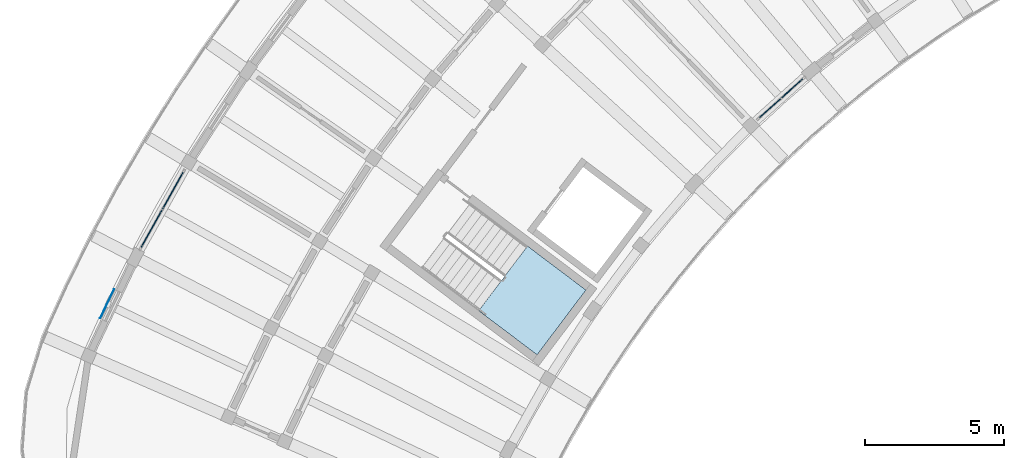
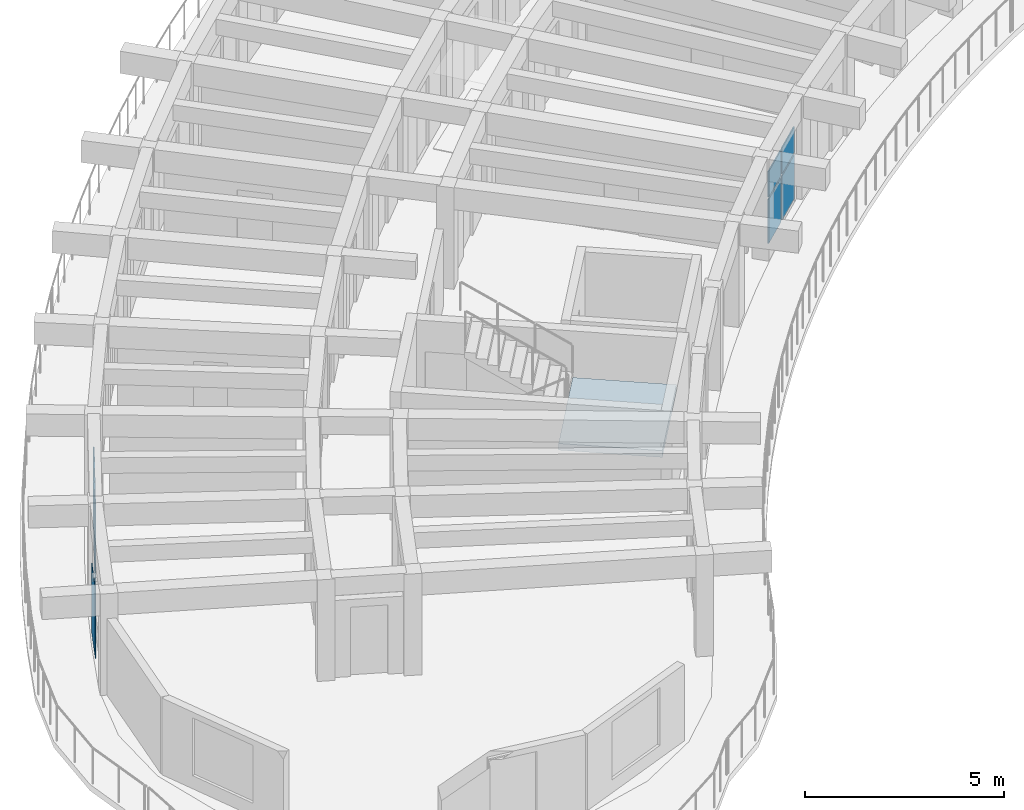
# One storey, part 15 of 36: 9 plates, 1 slab, 3 elements without a shape of their own.
"""IFC4 building model written with IfcOpenShell, lengths in metres."""

from ifc_helpers import new_model, si_unit, direction, frame, origin, origin_2d, place, context, subcontext, project, spatial, polyline, rectangle, outline, extrude, material, layer, layer_set, type_object, element, aggregate, save


model = new_model("IFC4")

# Units and contexts
model_context = context("Model", 3, precision=1e-05, world=origin(), true_north=direction((0.0, 1.0)))
body_context = subcontext(model_context, "Body", "Model", "MODEL_VIEW")
ifc_project = project(units=[si_unit("LENGTHUNIT", "METRE"), si_unit("AREAUNIT", "SQUARE_METRE"), si_unit("VOLUMEUNIT", "CUBIC_METRE"), si_unit("PLANEANGLEUNIT", "RADIAN"), si_unit("MASSUNIT", "GRAM", prefix="KILO")], contexts=[model_context])

# Site, building, storey
site_placement = place(None, origin())
site = spatial("IfcSite", under=ifc_project, at=site_placement, CompositionType="ELEMENT")
building_placement = place(site_placement, origin())
building = spatial("IfcBuilding", under=site, at=building_placement, Name="Tanwirah Colonnade Gardens", CompositionType="ELEMENT")
storey_placement = place(building_placement, frame((0.0, 0.0, 39.080078125)))
storey = spatial("IfcBuildingStorey", under=building, at=storey_placement, Name="L11", CompositionType="ELEMENT", Elevation=39.080078125)

# Curtain wall, plates
ifc_material_1 = material(Name="Bronze-anodised aluminium and solar-control low-E glass", Category="aluminium")
curtain_wall_type_1 = type_object("IfcCurtainWallType", Name="CW-GDN", PredefinedType="NOTDEFINED", material=ifc_material_1)
curtain_wall_1_placement = place(storey_placement, origin())
curtain_wall_1 = element("IfcCurtainWall", 1, at=curtain_wall_1_placement, inside=storey, type_object=curtain_wall_type_1, Name="Curtain Wall CW-A-L11-IN-09", PredefinedType="NOTDEFINED")
ifc_material_2 = material(Name="Acoustic solar-control low-E double glazing", Category="glass")
ifc_layer_1 = layer(ifc_material_2, 0.031982421875)
ifc_layer_set_1 = layer_set([ifc_layer_1], Name="Acoustic solar-control low-E double glazing")
plate_type_1 = type_object("IfcPlateType", Name="CWP-GLZ32", PredefinedType="CURTAIN_PANEL", material=ifc_layer_set_1)
plate_1_placement = place(storey_placement, frame((35.735595703125, 93.629638671875, 0.070068359375), z_axis=(0.0, 0.0, 1.0), x_axis=(-0.744440162253, -0.667689182798, 0.0)))
plate_1 = element("IfcPlate", 2, at=plate_1_placement, type_object=plate_type_1, Name="CW-GDN panel 1.1", PredefinedType="CURTAIN_PANEL", context=body_context, shape_type="SweptSolid", body=[
    extrude(rectangle(XDim=1.000244140625, YDim=0.031982421875, at=origin_2d()), origin(), (0.0, 0.0, 1.0), 1.35498046875),
])
plate_2_placement = place(storey_placement, frame((35.735595703125, 93.629638671875, 1.4951171875), z_axis=(0.0, 0.0, 1.0), x_axis=(-0.744440162253, -0.667689182798, 0.0)))
plate_2 = element("IfcPlate", 3, at=plate_2_placement, type_object=plate_type_1, Name="CW-GDN panel 1.2", PredefinedType="CURTAIN_PANEL", context=body_context, shape_type="SweptSolid", body=[
    extrude(rectangle(XDim=1.000244140625, YDim=0.031982421875, at=origin_2d()), origin(), (0.0, 0.0, 1.0), 0.789794921875),
])
plate_3_placement = place(storey_placement, frame((34.93896484375, 92.915283203125, 0.070068359375), z_axis=(0.0, 0.0, 1.0), x_axis=(-0.744440162253, -0.667689182798, 0.0)))
plate_3 = element("IfcPlate", 4, at=plate_3_placement, type_object=plate_type_1, Name="CW-GDN panel 2.1", PredefinedType="CURTAIN_PANEL", context=body_context, shape_type="SweptSolid", body=[
    extrude(rectangle(XDim=1.000244140625, YDim=0.031982421875, at=origin_2d()), origin(), (0.0, 0.0, 1.0), 1.35498046875),
])
plate_4_placement = place(storey_placement, frame((34.93896484375, 92.915283203125, 1.4951171875), z_axis=(0.0, 0.0, 1.0), x_axis=(-0.744440162253, -0.667689182798, 0.0)))
plate_4 = element("IfcPlate", 5, at=plate_4_placement, type_object=plate_type_1, Name="CW-GDN panel 2.2", PredefinedType="CURTAIN_PANEL", context=body_context, shape_type="SweptSolid", body=[
    extrude(rectangle(XDim=1.000244140625, YDim=0.031982421875, at=origin_2d()), origin(), (0.0, 0.0, 1.0), 0.789794921875),
])
aggregate(curtain_wall_1, [plate_1, plate_2, plate_3, plate_4])

curtain_wall_type_2 = type_object("IfcCurtainWallType", Name="CW-LOB", PredefinedType="NOTDEFINED", material=ifc_material_1)
curtain_wall_2_placement = place(storey_placement, origin())
curtain_wall_2 = element("IfcCurtainWall", 6, at=curtain_wall_2_placement, inside=storey, type_object=curtain_wall_type_2, Name="Curtain Wall CW-A-L11-OUT-14", PredefinedType="NOTDEFINED")
plate_5_placement = place(storey_placement, frame((13.439697265625, 89.940673828125, 0.070068359375), z_axis=(0.0, 0.0, 1.0), x_axis=(-0.488198852899, -0.872732421781, 0.0)))
plate_5 = element("IfcPlate", 7, at=plate_5_placement, type_object=plate_type_1, Name="CW-LOB panel 1.1", PredefinedType="CURTAIN_PANEL", context=body_context, shape_type="SweptSolid", body=[
    extrude(rectangle(XDim=1.497802734375, YDim=0.031982421875, at=origin_2d()), origin(), (0.0, 0.0, 1.0), 1.35498046875),
])
plate_6_placement = place(storey_placement, frame((13.439697265625, 89.940673828125, 1.4951171875), z_axis=(0.0, 0.0, 1.0), x_axis=(-0.488198852899, -0.872732421781, 0.0)))
plate_6 = element("IfcPlate", 8, at=plate_6_placement, type_object=plate_type_1, Name="CW-LOB panel 1.2", PredefinedType="CURTAIN_PANEL", context=body_context, shape_type="SweptSolid", body=[
    extrude(rectangle(XDim=1.497802734375, YDim=0.031982421875, at=origin_2d()), origin(), (0.0, 0.0, 1.0), 0.789794921875),
])
plate_7_placement = place(storey_placement, frame((12.67431640625, 88.572265625, 0.070068359375), z_axis=(0.0, 0.0, 1.0), x_axis=(-0.488198852899, -0.872732421781, 0.0)))
plate_7 = element("IfcPlate", 9, at=plate_7_placement, type_object=plate_type_1, Name="CW-LOB panel 2.1", PredefinedType="CURTAIN_PANEL", context=body_context, shape_type="SweptSolid", body=[
    extrude(rectangle(XDim=1.497802734375, YDim=0.031982421875, at=origin_2d()), origin(), (0.0, 0.0, 1.0), 1.35498046875),
])
plate_8_placement = place(storey_placement, frame((12.67431640625, 88.572265625, 1.4951171875), z_axis=(0.0, 0.0, 1.0), x_axis=(-0.488198852899, -0.872732421781, 0.0)))
plate_8 = element("IfcPlate", 10, at=plate_8_placement, type_object=plate_type_1, Name="CW-LOB panel 2.2", PredefinedType="CURTAIN_PANEL", context=body_context, shape_type="SweptSolid", body=[
    extrude(rectangle(XDim=1.497802734375, YDim=0.031982421875, at=origin_2d()), origin(), (0.0, 0.0, 1.0), 0.789794921875),
])
aggregate(curtain_wall_2, [plate_5, plate_6, plate_7, plate_8])

# Plate
ifc_material_3 = material(Name="Laser-cut bronze aluminium solar screen plate", Category="aluminium")
ifc_layer_2 = layer(ifc_material_3, 0.01611328125)
ifc_layer_set_2 = layer_set([ifc_layer_2], Name="Laser-cut bronze aluminium solar screen plate")
plate_type_2 = type_object("IfcPlateType", Name="PLT-SCR16", PredefinedType="SHEET", material=ifc_layer_set_2)
plate_9_placement = place(storey_placement, frame((11.074462890625, 85.87353515625, 0.0), z_axis=(0.0, 0.0, 1.0), x_axis=(-0.429635818333, -0.903002250056, 0.0)))
element("IfcPlate", 11, at=plate_9_placement, inside=storey, type_object=plate_type_2, Name="Perforated solar screen plate A-L11-15", PredefinedType="SHEET", context=body_context, shape_type="SweptSolid", body=[
    extrude(rectangle(XDim=1.159912109375, YDim=0.01611328125, at=origin_2d()), origin(), (0.0, 0.0, 1.0), 2.135009765625),
])

# Stair, slab
ifc_material_4 = material(Name="Precast concrete C40/50", Category="concrete")
stair_type = type_object("IfcStairType", Name="ST-RES168", PredefinedType="HALF_TURN_STAIR", material=ifc_material_4)
stair_placement = place(storey_placement, origin())
stair = element("IfcStair", 12, at=stair_placement, inside=storey, type_object=stair_type, Name="L11 Block A Core 2 Exit Stair", PredefinedType="HALF_TURN_STAIR")
ifc_layer_3 = layer(ifc_material_4, 0.205078125)
ifc_layer_set_3 = layer_set([ifc_layer_3], Name="Precast concrete C40/50")
slab_type = type_object("IfcSlabType", Name="SL-LND-205", PredefinedType="LANDING", material=ifc_layer_set_3)
slab_placement = place(storey_placement, frame((0.0, 0.0, 1.474853515625)))
slab = element("IfcSlab", 13, at=slab_placement, type_object=slab_type, Name="ST-A2 landing 1", PredefinedType="LANDING", context=body_context, shape_type="SweptSolid", body=[
    extrude(outline(polyline([(24.44970703125, 85.623046875), (26.553955078125, 84.037353515625), (28.311279296875, 86.369384765625), (26.20703125, 87.955078125), (24.44970703125, 85.623046875)])), origin(), (0.0, 0.0, 1.0), 0.205078125),
])
aggregate(stair, [slab])

save(model, "model.ifc")
